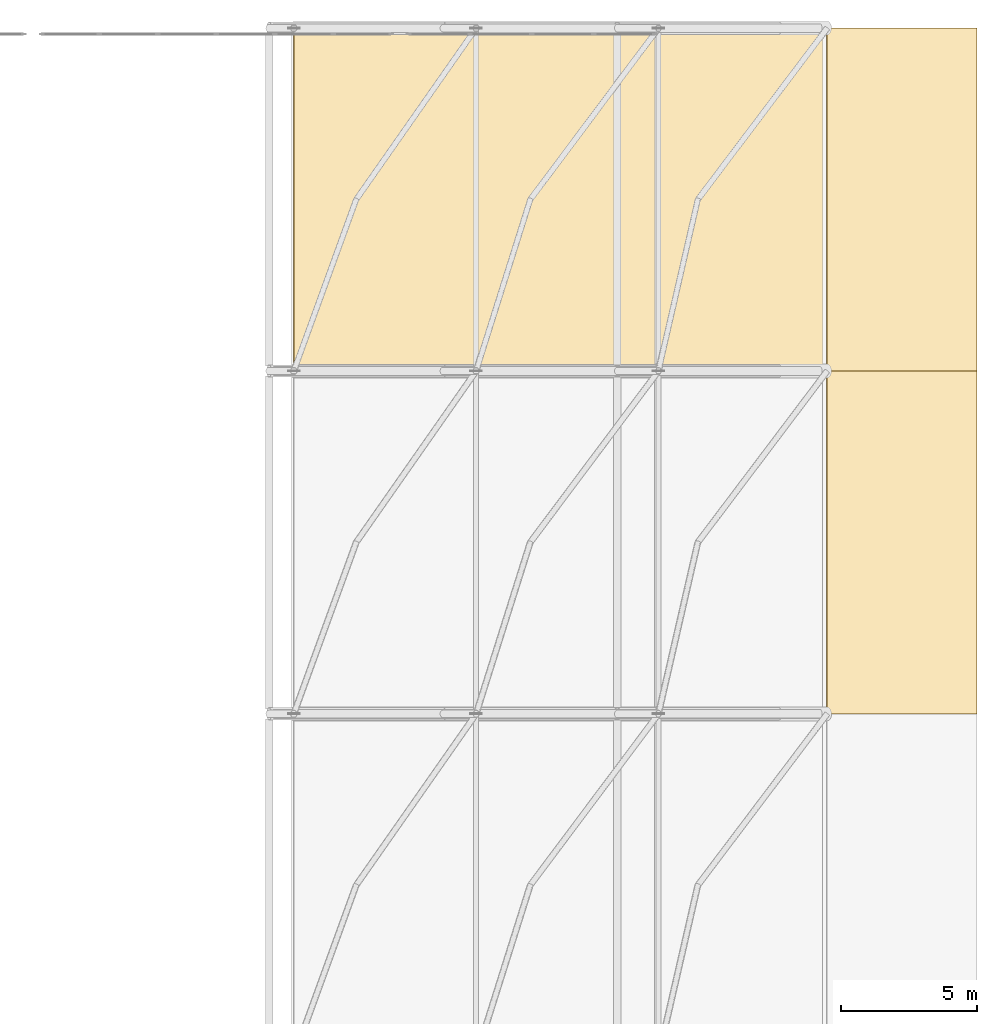
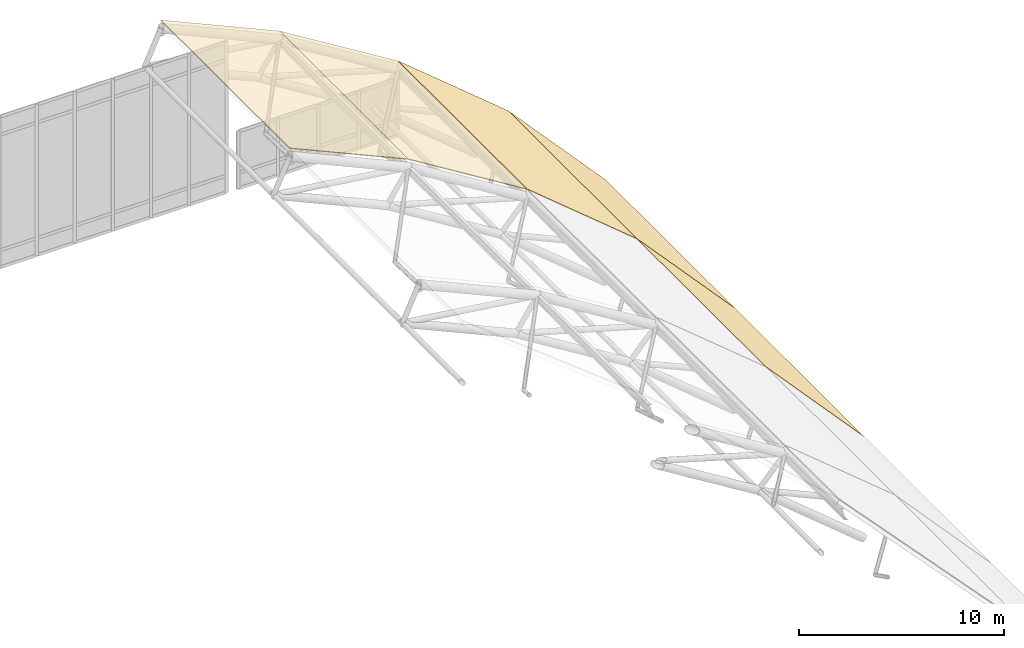
# One storey, part 41 of 42: 5 coverings.
"""IFC4 building model written with IfcOpenShell, lengths in metres."""

from ifc_helpers import new_model, si_unit, derived_unit, direction, frame, origin, place, context, subcontext, project, spatial, polyline, outline, extrude, material, layer, layer_set, type_object, element, save


model = new_model("IFC4")

# Units and contexts
model_context = context("Model", 3, precision=1e-05, world=origin(), true_north=direction((0.0, 1.0)))
body_context = subcontext(model_context, "Body", "Model", "MODEL_VIEW")
ifc_project = project(units=[si_unit("LENGTHUNIT", "METRE"), si_unit("AREAUNIT", "SQUARE_METRE"), si_unit("VOLUMEUNIT", "CUBIC_METRE"), si_unit("PLANEANGLEUNIT", "RADIAN"), si_unit("MASSUNIT", "GRAM", prefix="KILO"), derived_unit("THERMALTRANSMITTANCEUNIT", [(si_unit("MASSUNIT", "GRAM", prefix="KILO"), 1), (si_unit("TIMEUNIT", "SECOND"), -3), (si_unit("THERMODYNAMICTEMPERATUREUNIT", "KELVIN"), -1)])], contexts=[model_context])

# Site, building, storey
site_placement = place(None, origin())
site = spatial("IfcSite", under=ifc_project, at=site_placement, CompositionType="ELEMENT")
building_placement = place(site_placement, origin())
building = spatial("IfcBuilding", under=site, at=building_placement, Name="Valcora Ridge Arena", CompositionType="ELEMENT")
storey_placement = place(building_placement, frame((0.0, 0.0, 26.39990234375)))
storey = spatial("IfcBuildingStorey", under=building, at=storey_placement, Name="L05", CompositionType="ELEMENT", Elevation=26.39990234375)

# Coverings
ifc_material = material(Name="Weathered zinc-bronze standing-seam metal Grade Z275")
ifc_layer = layer(ifc_material, 0.0400390625, Name="Weathered zinc-bronze standing-seam metal Grade Z275")
ifc_layer_set = layer_set([ifc_layer], Name="Weathered zinc-bronze standing-seam metal Grade Z275")
covering_type = type_object("IfcCoveringType", Name="TY-COVERING-COV-ZINC-ARC", PredefinedType="ROOFING", material=ifc_layer_set)
covering_1_placement = place(storey_placement, frame((95.5, 83.0, -0.855712890625), z_axis=(0.739969795529, 0.0, 0.672640098199), x_axis=(0.672640098199, 0.0, -0.739969795529)))
element("IfcCovering", 1, at=covering_1_placement, inside=storey, type_object=covering_type, Name="COV-ZINC-ARC COV-RF-0082", PredefinedType="ROOFING", context=body_context, shape_type="SweptSolid", body=[
    extrude(outline(polyline([(0.0, 0.0), (8.17673524775775, 0.0), (8.17673524775775, 12.60009765625), (0.0, 12.60009765625), (0.0, 0.0)])), origin(), (0.0, 0.0, -1.0), 0.0400390625),
])
covering_2_placement = place(storey_placement, frame((75.89990234375, 95.60009765625, 11.416015625), z_axis=(0.408488575858, 0.0, 0.912763432327), x_axis=(0.912763432327, 0.0, -0.408488575858)))
element("IfcCovering", 2, at=covering_2_placement, inside=storey, type_object=covering_type, Name="COV-ZINC-ARC COV-RF-0093", PredefinedType="ROOFING", context=body_context, shape_type="SweptSolid", body=[
    extrude(outline(polyline([(0.0, 0.0), (7.340560626335988, 0.0), (7.340560626335988, 12.599853515625), (0.0, 12.599853515625), (0.0, 0.0)])), origin(), (0.0, 0.0, -1.0), 0.0400390625),
])
covering_3_placement = place(storey_placement, frame((82.60009765625, 95.60009765625, 8.41748046875), z_axis=(0.525423571512, 0.0, 0.850840802089), x_axis=(0.850840802089, 0.0, -0.525423571512)))
element("IfcCovering", 3, at=covering_3_placement, inside=storey, type_object=covering_type, Name="COV-ZINC-ARC COV-RF-0094", PredefinedType="ROOFING", context=body_context, shape_type="SweptSolid", body=[
    extrude(outline(polyline([(0.0, 0.0), (7.874506200718812, 0.0), (7.874506200718812, 12.599853515625), (0.0, 12.599853515625), (0.0, 0.0)])), origin(), (0.0, 0.0, -1.0), 0.0400390625),
])
covering_4_placement = place(storey_placement, frame((89.300048828125, 95.60009765625, 4.280029296875), z_axis=(0.637917681014, 0.0, 0.770104559296), x_axis=(0.770104559296, 0.0, -0.637917681014)))
element("IfcCovering", 4, at=covering_4_placement, inside=storey, type_object=covering_type, Name="COV-ZINC-ARC COV-RF-0095", PredefinedType="ROOFING", context=body_context, shape_type="SweptSolid", body=[
    extrude(outline(polyline([(0.0, 0.0), (8.050791411414252, 0.0), (8.050791411414252, 12.599853515625), (0.0, 12.599853515625), (0.0, 0.0)])), origin(), (0.0, 0.0, -1.0), 0.0400390625),
])
covering_5_placement = place(storey_placement, frame((95.5, 95.60009765625, -0.855712890625), z_axis=(0.739969795529, 0.0, 0.672640098199), x_axis=(0.672640098199, 0.0, -0.739969795529)))
element("IfcCovering", 5, at=covering_5_placement, inside=storey, type_object=covering_type, Name="COV-ZINC-ARC COV-RF-0096", PredefinedType="ROOFING", context=body_context, shape_type="SweptSolid", body=[
    extrude(outline(polyline([(0.0, 0.0), (8.17673524775775, 0.0), (8.17673524775775, 12.599853515625004), (0.0, 12.599853515625004), (0.0, 0.0)])), origin(), (0.0, 0.0, -1.0), 0.0400390625),
])

save(model, "model.ifc")
